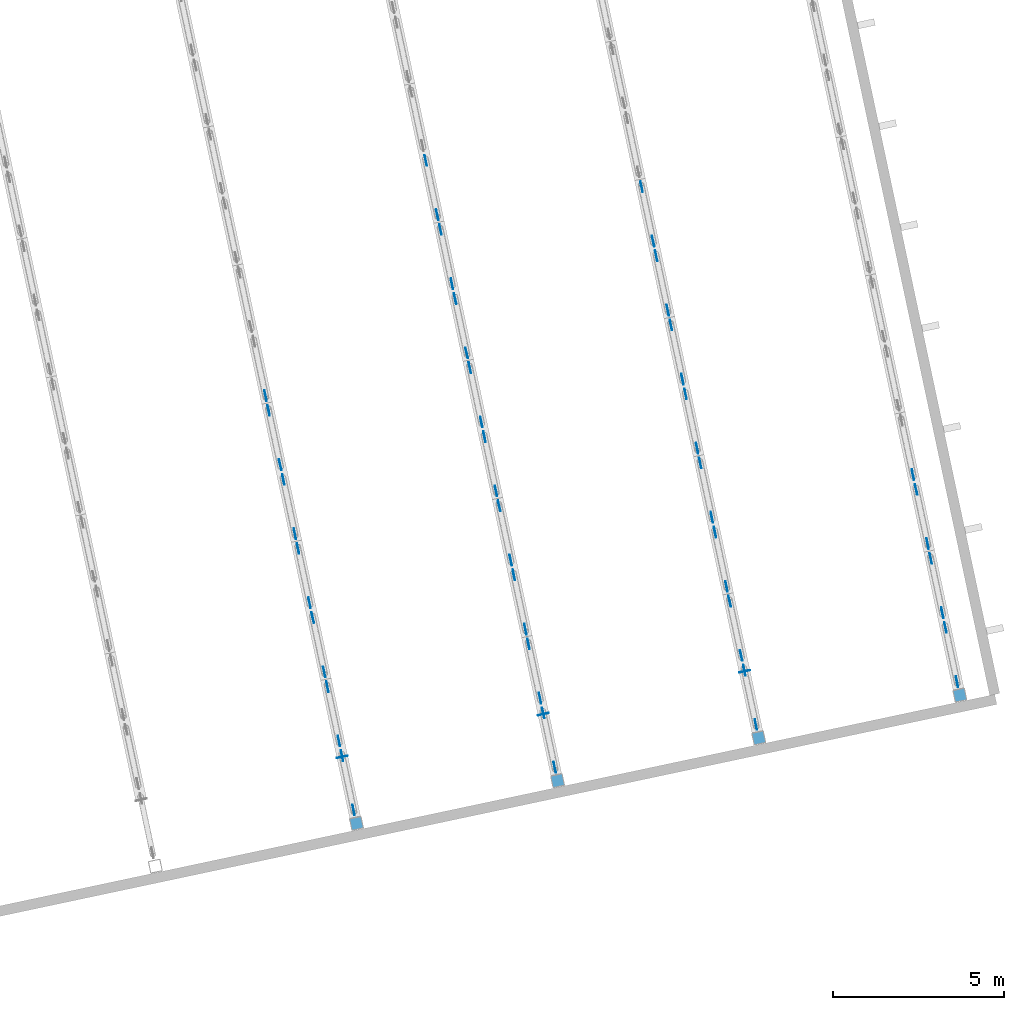
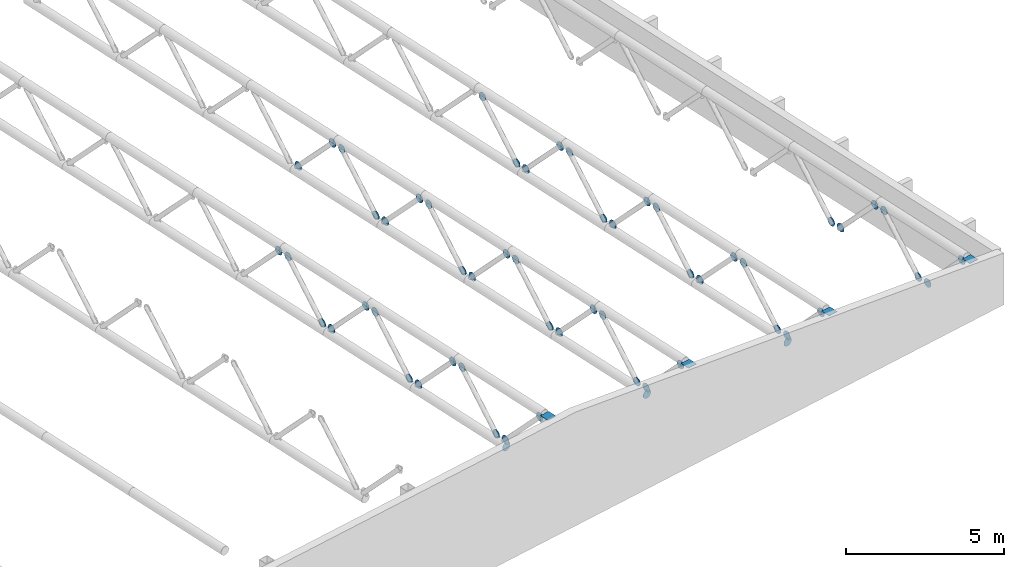
# One storey, part 46 of 58: 61 discrete accessories.
"""IFC4 building model written with IfcOpenShell, lengths in metres."""

from ifc_helpers import new_model, si_unit, direction, frame, origin, origin_2d, place, context, subcontext, project, spatial, rectangle, circle, extrude, material, layer, layer_set, type_object, element, save


model = new_model("IFC4")

# Units and contexts
model_context = context("Model", 3, precision=1e-05, world=origin(), true_north=direction((0.0, 1.0)))
body_context = subcontext(model_context, "Body", "Model", "MODEL_VIEW")
ifc_project = project(units=[si_unit("LENGTHUNIT", "METRE"), si_unit("AREAUNIT", "SQUARE_METRE"), si_unit("VOLUMEUNIT", "CUBIC_METRE"), si_unit("PLANEANGLEUNIT", "RADIAN"), si_unit("MASSUNIT", "GRAM", prefix="KILO")], contexts=[model_context])

# Site, building, storey
site_placement = place(None, origin())
site = spatial("IfcSite", under=ifc_project, at=site_placement, CompositionType="ELEMENT")
building_placement = place(site_placement, origin())
building = spatial("IfcBuilding", under=site, at=building_placement, Name="Windward Yard Aquatics Centre", CompositionType="ELEMENT")
storey_placement = place(building_placement, frame((0.0, 0.0, 13.800048828125)))
storey = spatial("IfcBuildingStorey", under=building, at=storey_placement, Name="L03", CompositionType="ELEMENT", Elevation=13.800048828125)

# Discrete accessories
ifc_material = material(Name="Steel S355", Category="steel")
ifc_layer_1 = layer(ifc_material, 0.010009765625)
ifc_layer_set_1 = layer_set([ifc_layer_1], Name="End cap plate 10 mm CHS323.9x12.7")
discrete_accessory_type_1 = type_object("IfcDiscreteAccessoryType", Name="End cap plate 10 mm CHS323.9x12.7", PredefinedType="USERDEFINED", material=ifc_layer_set_1)
for number, where, z_axis, x_axis, name in (
    (1, (181.052490234375, 47.63916015625, 2.13623046875), (-0.219512195122, 0.975609756098, 0.0), (-0.975609756098, -0.219512195122, 0.0), "End cap"),
    (2, (186.92138671875, 48.886474609375, 1.3466796875), (-0.219512195122, 0.975609756098, 0.0), (-0.975609756098, -0.219512195122, 0.0), "End cap"),
    (3, (192.790283203125, 50.134033203125, 0.557373046875), (-0.219512195122, 0.975609756098, 0.0), (-0.975609756098, -0.219512195122, 0.0), "End cap"),
):
    element("IfcDiscreteAccessory", number, at=place(storey_placement, frame(where, z_axis=z_axis, x_axis=x_axis)), inside=storey, type_object=discrete_accessory_type_1, Name=name, ObjectType="END CAP", PredefinedType="USERDEFINED", context=body_context, shape_type="SweptSolid", body=[
        extrude(circle(Radius=0.161865234375, at=origin_2d()), origin(), (0.0, 0.0, 1.0), 0.010009765625),
    ])
ifc_layer_2 = layer(ifc_material, 0.010009765625)
ifc_layer_set_2 = layer_set([ifc_layer_2], Name="End cap plate 10 mm RHS355.6x355.6x15.9")
discrete_accessory_type_2 = type_object("IfcDiscreteAccessoryType", Name="End cap plate 10 mm RHS355.6x355.6x15.9", PredefinedType="USERDEFINED", material=ifc_layer_set_2)
for number, where, z_axis, x_axis, name in (
    (4, (193.20166015625, 48.198974609375, 2.75732421875), (0.0, 0.0, 1.0), (0.978147600734, 0.207911690818, 0.0), "End cap"),
    (5, (187.332763671875, 46.951416015625, 3.546630859375), (0.0, 0.0, 1.0), (0.978147600734, 0.207911690818, 0.0), "End cap"),
    (6, (181.4638671875, 45.7041015625, 4.336181640625), (0.0, 0.0, 1.0), (0.978147600734, 0.207911690818, 0.0), "End cap"),
    (7, (199.070556640625, 49.446533203125, 1.9677734375), (0.0, 0.0, 1.0), (0.978147600734, 0.207911690818, 0.0), "End cap"),
):
    element("IfcDiscreteAccessory", number, at=place(storey_placement, frame(where, z_axis=z_axis, x_axis=x_axis)), inside=storey, type_object=discrete_accessory_type_2, Name=name, ObjectType="END CAP", PredefinedType="USERDEFINED", context=body_context, shape_type="SweptSolid", body=[
        extrude(rectangle(XDim=0.355712890625, YDim=0.355712890625, at=origin_2d()), origin(), (0.0, 0.0, 1.0), 0.010009765625),
    ])
ifc_layer_3 = layer(ifc_material, 0.011962890625)
ifc_layer_set_3 = layer_set([ifc_layer_3], Name="Gusset plate 320 mm disc 12 mm, roof frames")
discrete_accessory_type_3 = type_object("IfcDiscreteAccessoryType", Name="Gusset plate 320 mm disc 12 mm, roof frames", PredefinedType="USERDEFINED", material=ifc_layer_set_3)
for number, where, z_axis, x_axis, name in (
    (8, (181.375244140625, 46.09228515625, 4.101318359375), (0.978980419738, 0.203954254112, 0.0), (-0.203954254112, 0.978980419738, 0.0), "Gusset plate"),
    (9, (181.038330078125, 47.677001953125, 2.371337890625), (0.978980419738, 0.203954254112, 0.0), (-0.203954254112, 0.978980419738, 0.0), "Gusset plate"),
    (10, (180.60986328125, 49.692138671875, 4.101318359375), (0.978980419738, 0.203954254112, 0.0), (-0.203954254112, 0.978980419738, 0.0), "Gusset plate"),
    (11, (180.94677734375, 48.107421875, 2.371337890625), (0.978980419738, 0.203954254112, 0.0), (-0.203954254112, 0.978980419738, 0.0), "Gusset plate"),
    (12, (180.5185546875, 50.12255859375, 4.101318359375), (0.978980419738, 0.203954254112, 0.0), (-0.203954254112, 0.978980419738, 0.0), "Gusset plate"),
    (13, (180.181640625, 51.707275390625, 2.371337890625), (0.974732318528, 0.223376156329, 0.0), (-0.223376156329, 0.974732318528, 0.0), "Gusset plate"),
    (14, (179.753173828125, 53.72265625, 4.101318359375), (0.978980419738, 0.203954254112, 0.0), (-0.203954254112, 0.978980419738, 0.0), "Gusset plate"),
    (15, (180.090087890625, 52.137939453125, 2.371337890625), (0.978980419738, 0.203954254112, 0.0), (-0.203954254112, 0.978980419738, 0.0), "Gusset plate"),
    (16, (179.661865234375, 54.153076171875, 4.101318359375), (0.978980419738, 0.203954254112, 0.0), (-0.203954254112, 0.978980419738, 0.0), "Gusset plate"),
    (17, (179.324951171875, 55.73779296875, 2.371337890625), (0.978980419738, 0.203954254112, 0.0), (-0.203954254112, 0.978980419738, 0.0), "Gusset plate"),
    (18, (178.896484375, 57.7529296875, 4.101318359375), (0.978980419738, 0.203954254112, 0.0), (-0.203954254112, 0.978980419738, 0.0), "Gusset plate"),
    (19, (179.2333984375, 56.168212890625, 2.371337890625), (0.974732318528, 0.223376156329, 0.0), (-0.223376156329, 0.974732318528, 0.0), "Gusset plate"),
    (20, (178.80517578125, 58.18359375, 4.101318359375), (0.978980419738, 0.203954254112, 0.0), (-0.203954254112, 0.978980419738, 0.0), "Gusset plate"),
    (21, (187.244140625, 47.339599609375, 3.311767578125), (0.978980419738, 0.203954254112, 0.0), (-0.203954254112, 0.978980419738, 0.0), "Gusset plate"),
    (22, (186.9072265625, 48.92431640625, 1.581787109375), (0.974732318528, 0.223376156329, 0.0), (-0.223376156329, 0.974732318528, 0.0), "Gusset plate"),
    (23, (186.478759765625, 50.939697265625, 3.311767578125), (0.978980419738, 0.203954254112, 0.0), (-0.203954254112, 0.978980419738, 0.0), "Gusset plate"),
    (24, (186.815673828125, 49.35498046875, 1.581787109375), (0.978980419738, 0.203954254112, 0.0), (-0.203954254112, 0.978980419738, 0.0), "Gusset plate"),
):
    element("IfcDiscreteAccessory", number, at=place(storey_placement, frame(where, z_axis=z_axis, x_axis=x_axis)), inside=storey, type_object=discrete_accessory_type_3, Name=name, ObjectType="GUSSET PLATE", PredefinedType="USERDEFINED", context=body_context, shape_type="SweptSolid", body=[
        extrude(circle(Radius=0.159912109375, at=origin_2d()), origin(), (0.0, 0.0, 1.0), 0.011962890625),
    ])
discrete_accessory_1_placement = place(storey_placement, frame((186.38720703125, 51.3701171875, 3.311767578125), z_axis=(0.97980405878, 0.199960011996, 0.0), x_axis=(-0.199960011996, 0.97980405878, 0.0)))
element("IfcDiscreteAccessory", 25, at=discrete_accessory_1_placement, inside=storey, type_object=discrete_accessory_type_3, Name="Gusset plate", ObjectType="GUSSET PLATE", PredefinedType="USERDEFINED", context=body_context, shape_type="SweptSolid", body=[
    extrude(circle(Radius=0.159912109375, at=origin_2d()), origin(), (0.0, 0.0, 1.0), 0.01220703125),
])
for number, where, z_axis, x_axis, name in (
    (26, (186.050537109375, 52.954833984375, 1.581787109375), (0.978980419738, 0.203954254112, 0.0), (-0.203954254112, 0.978980419738, 0.0), "Gusset plate"),
    (27, (185.6220703125, 54.969970703125, 3.311767578125), (0.974732318528, 0.223376156329, 0.0), (-0.223376156329, 0.974732318528, 0.0), "Gusset plate"),
    (28, (185.958984375, 53.38525390625, 1.581787109375), (0.978980419738, 0.203954254112, 0.0), (-0.203954254112, 0.978980419738, 0.0), "Gusset plate"),
):
    element("IfcDiscreteAccessory", number, at=place(storey_placement, frame(where, z_axis=z_axis, x_axis=x_axis)), inside=storey, type_object=discrete_accessory_type_3, Name=name, ObjectType="GUSSET PLATE", PredefinedType="USERDEFINED", context=body_context, shape_type="SweptSolid", body=[
        extrude(circle(Radius=0.159912109375, at=origin_2d()), origin(), (0.0, 0.0, 1.0), 0.011962890625),
    ])
discrete_accessory_2_placement = place(storey_placement, frame((185.530517578125, 55.400390625, 3.311767578125), z_axis=(0.975716252094, 0.219038342307, 0.0), x_axis=(-0.219038342307, 0.975716252094, 0.0)))
element("IfcDiscreteAccessory", 29, at=discrete_accessory_2_placement, inside=storey, type_object=discrete_accessory_type_3, Name="Gusset plate", ObjectType="GUSSET PLATE", PredefinedType="USERDEFINED", context=body_context, shape_type="SweptSolid", body=[
    extrude(circle(Radius=0.159912109375, at=origin_2d()), origin(), (0.0, 0.0, 1.0), 0.01220703125),
])
for number, where, z_axis, x_axis, name in (
    (30, (185.19384765625, 56.9853515625, 1.581787109375), (0.978980419738, 0.203954254112, 0.0), (-0.203954254112, 0.978980419738, 0.0), "Gusset plate"),
    (31, (184.765380859375, 59.00048828125, 3.311767578125), (0.978980419738, 0.203954254112, 0.0), (-0.203954254112, 0.978980419738, 0.0), "Gusset plate"),
    (32, (185.102294921875, 57.415771484375, 1.581787109375), (0.978980419738, 0.203954254112, 0.0), (-0.203954254112, 0.978980419738, 0.0), "Gusset plate"),
    (33, (184.673828125, 59.430908203125, 3.311767578125), (0.974732318528, 0.223376156329, 0.0), (-0.223376156329, 0.974732318528, 0.0), "Gusset plate"),
    (34, (184.337158203125, 61.015625, 1.581787109375), (0.974732318528, 0.223376156329, 0.0), (-0.223376156329, 0.974732318528, 0.0), "Gusset plate"),
    (35, (183.90869140625, 63.031005859375, 3.311767578125), (0.978980419738, 0.203954254112, 0.0), (-0.203954254112, 0.978980419738, 0.0), "Gusset plate"),
    (36, (184.24560546875, 61.4462890625, 1.581787109375), (0.978980419738, 0.203954254112, 0.0), (-0.203954254112, 0.978980419738, 0.0), "Gusset plate"),
    (37, (183.817138671875, 63.46142578125, 3.311767578125), (0.974732318528, 0.223376156329, 0.0), (-0.223376156329, 0.974732318528, 0.0), "Gusset plate"),
    (38, (183.48046875, 65.046142578125, 1.581787109375), (0.978980419738, 0.203954254112, 0.0), (-0.203954254112, 0.978980419738, 0.0), "Gusset plate"),
    (39, (193.113037109375, 48.587158203125, 2.522216796875), (0.978980419738, 0.203954254112, 0.0), (-0.203954254112, 0.978980419738, 0.0), "Gusset plate"),
    (40, (192.776123046875, 50.171875, 0.792236328125), (0.978980419738, 0.203954254112, 0.0), (-0.203954254112, 0.978980419738, 0.0), "Gusset plate"),
    (41, (192.34765625, 52.18701171875, 2.522216796875), (0.974732318528, 0.223376156329, 0.0), (-0.223376156329, 0.974732318528, 0.0), "Gusset plate"),
    (42, (192.6845703125, 50.602294921875, 0.792236328125), (0.978980419738, 0.203954254112, 0.0), (-0.203954254112, 0.978980419738, 0.0), "Gusset plate"),
):
    element("IfcDiscreteAccessory", number, at=place(storey_placement, frame(where, z_axis=z_axis, x_axis=x_axis)), inside=storey, type_object=discrete_accessory_type_3, Name=name, ObjectType="GUSSET PLATE", PredefinedType="USERDEFINED", context=body_context, shape_type="SweptSolid", body=[
        extrude(circle(Radius=0.159912109375, at=origin_2d()), origin(), (0.0, 0.0, 1.0), 0.011962890625),
    ])
discrete_accessory_3_placement = place(storey_placement, frame((192.256103515625, 52.61767578125, 2.522216796875), z_axis=(0.97980405878, 0.199960011996, 0.0), x_axis=(-0.199960011996, 0.97980405878, 0.0)))
element("IfcDiscreteAccessory", 43, at=discrete_accessory_3_placement, inside=storey, type_object=discrete_accessory_type_3, Name="Gusset plate", ObjectType="GUSSET PLATE", PredefinedType="USERDEFINED", context=body_context, shape_type="SweptSolid", body=[
    extrude(circle(Radius=0.159912109375, at=origin_2d()), origin(), (0.0, 0.0, 1.0), 0.01220703125),
])
for number, where, z_axis, x_axis, name in (
    (44, (191.91943359375, 54.202392578125, 0.792236328125), (0.978980419738, 0.203954254112, 0.0), (-0.203954254112, 0.978980419738, 0.0), "Gusset plate"),
    (45, (191.490966796875, 56.217529296875, 2.522216796875), (0.978980419738, 0.203954254112, 0.0), (-0.203954254112, 0.978980419738, 0.0), "Gusset plate"),
    (46, (191.827880859375, 54.6328125, 0.792236328125), (0.978980419738, 0.203954254112, 0.0), (-0.203954254112, 0.978980419738, 0.0), "Gusset plate"),
):
    element("IfcDiscreteAccessory", number, at=place(storey_placement, frame(where, z_axis=z_axis, x_axis=x_axis)), inside=storey, type_object=discrete_accessory_type_3, Name=name, ObjectType="GUSSET PLATE", PredefinedType="USERDEFINED", context=body_context, shape_type="SweptSolid", body=[
        extrude(circle(Radius=0.159912109375, at=origin_2d()), origin(), (0.0, 0.0, 1.0), 0.011962890625),
    ])
discrete_accessory_4_placement = place(storey_placement, frame((191.3994140625, 56.64794921875, 2.522216796875), z_axis=(0.97980405878, 0.199960011996, 0.0), x_axis=(-0.199960011996, 0.97980405878, 0.0)))
element("IfcDiscreteAccessory", 47, at=discrete_accessory_4_placement, inside=storey, type_object=discrete_accessory_type_3, Name="Gusset plate", ObjectType="GUSSET PLATE", PredefinedType="USERDEFINED", context=body_context, shape_type="SweptSolid", body=[
    extrude(circle(Radius=0.159912109375, at=origin_2d()), origin(), (0.0, 0.0, 1.0), 0.01220703125),
])
for number, where, z_axis, x_axis, name in (
    (48, (191.062744140625, 58.23291015625, 0.792236328125), (0.978980419738, 0.203954254112, 0.0), (-0.203954254112, 0.978980419738, 0.0), "Gusset plate"),
    (49, (190.63427734375, 60.248046875, 2.522216796875), (0.978980419738, 0.203954254112, 0.0), (-0.203954254112, 0.978980419738, 0.0), "Gusset plate"),
    (50, (190.97119140625, 58.663330078125, 0.792236328125), (0.978980419738, 0.203954254112, 0.0), (-0.203954254112, 0.978980419738, 0.0), "Gusset plate"),
    (51, (190.542724609375, 60.678466796875, 2.522216796875), (0.978980419738, 0.203954254112, 0.0), (-0.203954254112, 0.978980419738, 0.0), "Gusset plate"),
    (52, (190.2060546875, 62.26318359375, 0.792236328125), (0.978980419738, 0.203954254112, 0.0), (-0.203954254112, 0.978980419738, 0.0), "Gusset plate"),
    (53, (189.777587890625, 64.2783203125, 2.522216796875), (0.974732318528, 0.223376156329, 0.0), (-0.223376156329, 0.974732318528, 0.0), "Gusset plate"),
    (54, (190.114501953125, 62.693603515625, 0.792236328125), (0.974732318528, 0.223376156329, 0.0), (-0.223376156329, 0.974732318528, 0.0), "Gusset plate"),
    (55, (198.98193359375, 49.834716796875, 1.73291015625), (0.978980419738, 0.203954254112, 0.0), (-0.203954254112, 0.978980419738, 0.0), "Gusset plate"),
    (56, (198.64501953125, 51.419189453125, 0.0029296875), (0.974732318528, 0.223376156329, 0.0), (-0.223376156329, 0.974732318528, 0.0), "Gusset plate"),
    (57, (198.216552734375, 53.4345703125, 1.73291015625), (0.978980419738, 0.203954254112, 0.0), (-0.203954254112, 0.978980419738, 0.0), "Gusset plate"),
    (58, (198.553466796875, 51.849853515625, 0.0029296875), (0.978980419738, 0.203954254112, 0.0), (-0.203954254112, 0.978980419738, 0.0), "Gusset plate"),
):
    element("IfcDiscreteAccessory", number, at=place(storey_placement, frame(where, z_axis=z_axis, x_axis=x_axis)), inside=storey, type_object=discrete_accessory_type_3, Name=name, ObjectType="GUSSET PLATE", PredefinedType="USERDEFINED", context=body_context, shape_type="SweptSolid", body=[
        extrude(circle(Radius=0.159912109375, at=origin_2d()), origin(), (0.0, 0.0, 1.0), 0.011962890625),
    ])
discrete_accessory_5_placement = place(storey_placement, frame((198.125, 53.864990234375, 1.73291015625), z_axis=(0.97980405878, 0.199960011996, 0.0), x_axis=(-0.199960011996, 0.97980405878, 0.0)))
element("IfcDiscreteAccessory", 59, at=discrete_accessory_5_placement, inside=storey, type_object=discrete_accessory_type_3, Name="Gusset plate", ObjectType="GUSSET PLATE", PredefinedType="USERDEFINED", context=body_context, shape_type="SweptSolid", body=[
    extrude(circle(Radius=0.159912109375, at=origin_2d()), origin(), (0.0, 0.0, 1.0), 0.01220703125),
])
for number, where, z_axis, x_axis, name in (
    (60, (197.788330078125, 55.44970703125, 0.0029296875), (0.974732318528, 0.223376156329, 0.0), (-0.223376156329, 0.974732318528, 0.0), "Gusset plate"),
    (61, (197.69677734375, 55.88037109375, 0.0029296875), (0.978980419738, 0.203954254112, 0.0), (-0.203954254112, 0.978980419738, 0.0), "Gusset plate"),
):
    element("IfcDiscreteAccessory", number, at=place(storey_placement, frame(where, z_axis=z_axis, x_axis=x_axis)), inside=storey, type_object=discrete_accessory_type_3, Name=name, ObjectType="GUSSET PLATE", PredefinedType="USERDEFINED", context=body_context, shape_type="SweptSolid", body=[
        extrude(circle(Radius=0.159912109375, at=origin_2d()), origin(), (0.0, 0.0, 1.0), 0.011962890625),
    ])

save(model, "model.ifc")
